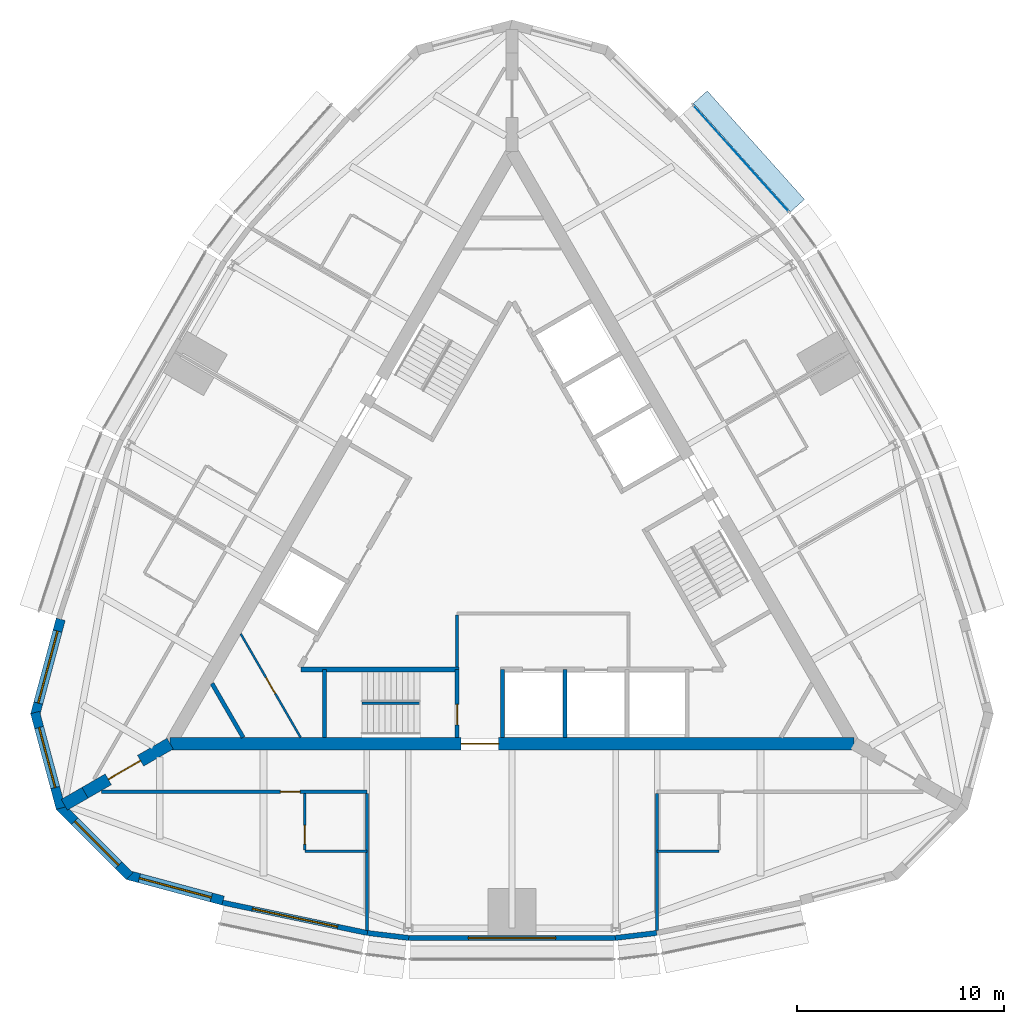
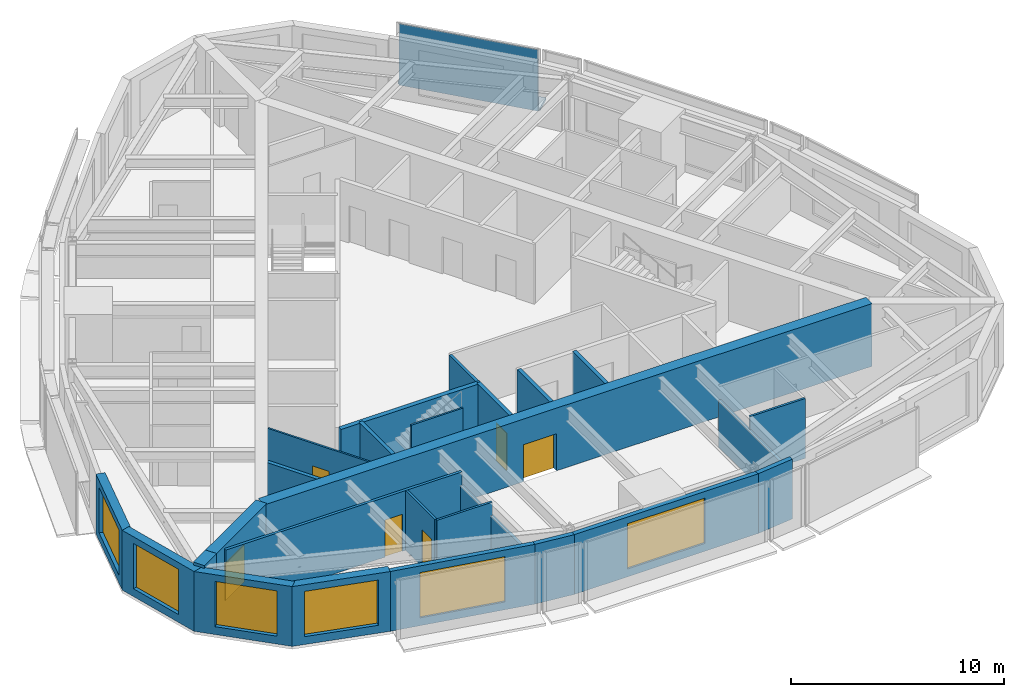
# One storey, part 7 of 12: 26 walls, 6 doors, 6 windows, 2 plates, 12 openings, 1 element without a shape of its own.
"""IFC4 building model written with IfcOpenShell, lengths in metres."""

from ifc_helpers import new_model, si_unit, direction, frame, frame_2d, origin, origin_2d, place, context, subcontext, project, spatial, polyline, rectangle, outline, extrude, material, layer, layer_set, type_object, element, fill, aggregate, save


model = new_model("IFC4")

# Units and contexts
model_context = context("Model", 3, precision=1e-05, world=origin(), true_north=direction((0.0, 1.0)))
body_context = subcontext(model_context, "Body", "Model", "MODEL_VIEW")
ifc_project = project(units=[si_unit("LENGTHUNIT", "METRE"), si_unit("AREAUNIT", "SQUARE_METRE"), si_unit("VOLUMEUNIT", "CUBIC_METRE"), si_unit("PLANEANGLEUNIT", "RADIAN"), si_unit("MASSUNIT", "GRAM", prefix="KILO")], contexts=[model_context])

# Site, building, storey
site_placement = place(None, origin())
site = spatial("IfcSite", under=ifc_project, at=site_placement, CompositionType="ELEMENT")
building_placement = place(site_placement, origin())
building = spatial("IfcBuilding", under=site, at=building_placement, Name="Trikona Tower", CompositionType="ELEMENT")
storey_placement = place(building_placement, frame((0.0, 0.0, 250.10009765625)))
storey = spatial("IfcBuildingStorey", under=building, at=storey_placement, Name="L66", CompositionType="ELEMENT", Elevation=250.10009765625)

# Curtain wall, plate
ifc_material_1 = material(Name="Aluminium curtain wall system", Category="aluminium")
curtain_wall_type = type_object("IfcCurtainWallType", Name="Curtain wall DS3", PredefinedType="NOTDEFINED", material=ifc_material_1)
curtain_wall_placement = place(storey_placement, origin())
curtain_wall = element("IfcCurtainWall", 1, at=curtain_wall_placement, inside=storey, type_object=curtain_wall_type, Name="Curtain wall DS3 L66", PredefinedType="NOTDEFINED")
ifc_material_2 = material(Name="Laminated clear glass", Category="glass")
ifc_layer_1 = layer(ifc_material_2, 0.028076171875)
ifc_layer_set_1 = layer_set([ifc_layer_1], Name="Glass panel DS3")
plate_type_1 = type_object("IfcPlateType", Name="Glass panel DS3", PredefinedType="CURTAIN_PANEL", material=ifc_layer_set_1)
plate_1_placement = place(storey_placement, frame((11.056884765625, 18.7216796875, 0.0), z_axis=(0.0, 0.0, 1.0), x_axis=(-0.667319643748, 0.744771436797, 0.0)))
plate_1 = element("IfcPlate", 2, at=plate_1_placement, type_object=plate_type_1, Name="CW-DS3 panel 1.1", PredefinedType="CURTAIN_PANEL", context=body_context, shape_type="SweptSolid", body=[
    extrude(rectangle(XDim=6.892822265625, YDim=0.028076171875, at=origin_2d()), origin(), (0.0, 0.0, 1.0), 3.530029296875),
])
aggregate(curtain_wall, [plate_1])

# Plate
ifc_material_3 = material(Name="Aluminium plate fin, pale anodised, on stainless steel outriggers", Category="steel")
ifc_layer_2 = layer(ifc_material_3, 0.14990234375)
ifc_layer_set_2 = layer_set([ifc_layer_2], Name="Outer skin fin 900")
plate_type_2 = type_object("IfcPlateType", Name="Outer skin fin 900", PredefinedType="USERDEFINED", material=ifc_layer_set_2)
plate_2_placement = place(storey_placement, frame((11.436767578125, 19.06201171875, 0.0), z_axis=(0.0, 0.0, 1.0), x_axis=(-0.667311465398, 0.744778764566, 0.0)))
element("IfcPlate", 3, at=plate_2_placement, inside=storey, type_object=plate_type_2, Name="Outer skin fin L66-13", ObjectType="FIN", PredefinedType="USERDEFINED", context=body_context, shape_type="SweptSolid", body=[
    extrude(rectangle(XDim=7.03271484375, YDim=0.89990234375, at=origin_2d()), origin(), (0.0, 0.0, 1.0), 0.14990234375),
])

# Wall
ifc_material_4 = material(Name="Metal stud and cement board", Category="gypsum")
ifc_layer_3 = layer(ifc_material_4, 0.1201171875)
ifc_layer_set_3 = layer_set([ifc_layer_3], Name="Bathroom wall 120")
wall_type_1 = type_object("IfcWallType", Name="Bathroom wall 120", PredefinedType="PLUMBINGWALL", material=ifc_layer_set_3)
wall_1_placement = place(storey_placement, frame((-10.0, -14.726318359375, 0.0), z_axis=(0.0, 0.0, 1.0), x_axis=(1.0, 0.0, 0.0)))
element("IfcWall", 4, at=wall_1_placement, inside=storey, type_object=wall_type_1, Name="Bathroom wall 6601", PredefinedType="PLUMBINGWALL", context=body_context, shape_type="SweptSolid", body=[
    extrude(rectangle(XDim=3.0, YDim=0.1201171875, at=frame_2d((1.5, 0.0))), origin(), (0.0, 0.0, 1.0), 3.434814453125),
])

# Wall, opening, door
wall_2_placement = place(storey_placement, frame((-10.0, -11.92626953125, 0.0), z_axis=(0.0, 0.0, 1.0), x_axis=(0.0, -1.0, 0.0)))
wall_2 = element("IfcWall", 5, at=wall_2_placement, inside=storey, type_object=wall_type_1, Name="Bathroom wall 6601", PredefinedType="PLUMBINGWALL", context=body_context, shape_type="SweptSolid", body=[
    extrude(rectangle(XDim=2.739990234375, YDim=0.1201171875, at=frame_2d((1.3701171875, 0.0))), origin(), (0.0, 0.0, 1.0), 3.434814453125),
])
opening_1_placement = place(wall_2_placement, frame((1.550048828125, 0.0, 0.0)))
opening_1 = element("IfcOpeningElement", 6, at=opening_1_placement, cuts=wall_2, Name="Opening D2", PredefinedType="OPENING", context=body_context, shape_type="SweptSolid", body=[
    extrude(rectangle(XDim=0.89990234375, YDim=2.1298828125, at=frame_2d((0.449951171875, 1.06494140625))), frame((0.0, 0.070068359375, 0.0), z_axis=(0.0, -1.0, 0.0), x_axis=(1.0, 0.0, 0.0)), (0.0, 0.0, 1.0), 0.14013671875),
])
ifc_material_5 = material(Name="Steel door frame with solid-core timber leaf", Category="steel")
door_type_1 = type_object("IfcDoorType", Name="Bathroom door 900x2130", OperationType="SLIDING_TO_LEFT", PredefinedType="DOOR", material=ifc_material_5)
door_1_placement = place(opening_1_placement, origin())
door_1 = element("IfcDoor", 7, at=door_1_placement, inside=storey, type_object=door_type_1, Name="Bathroom door 6601", OperationType="SLIDING_TO_LEFT", OverallHeight=2.1298828125, OverallWidth=0.89990234375, PredefinedType="DOOR", context=body_context, shape_type="SweptSolid", body=[
    extrude(rectangle(XDim=0.89990234375, YDim=2.1298828125, at=frame_2d((0.449951171875, 1.06494140625))), frame((0.0, 0.02490234375, 0.0), z_axis=(0.0, -1.0, 0.0), x_axis=(1.0, 0.0, 0.0)), (0.0, 0.0, 1.0), 0.050048828125),
])
fill(opening_1, door_1)

# Wall
wall_3_placement = place(storey_placement, frame((7.0, -14.726318359375, 0.0), z_axis=(0.0, 0.0, 1.0), x_axis=(1.0, 0.0, 0.0)))
element("IfcWall", 8, at=wall_3_placement, inside=storey, type_object=wall_type_1, Name="Bathroom wall 6602", PredefinedType="PLUMBINGWALL", context=body_context, shape_type="SweptSolid", body=[
    extrude(rectangle(XDim=3.0, YDim=0.1201171875, at=frame_2d((1.5, 0.0))), origin(), (0.0, 0.0, 1.0), 3.434814453125),
])

# Wall, opening, window
ifc_material_6 = material(Name="Brick-faced precast concrete", Category="masonry")
ifc_layer_4 = layer(ifc_material_6, 0.449951171875)
ifc_layer_set_4 = layer_set([ifc_layer_4], Name="Brick-faced corner wall 450")
wall_type_2 = type_object("IfcWallType", Name="Brick-faced corner wall 450", PredefinedType="SOLIDWALL", material=ifc_layer_set_4)
wall_4_placement = place(storey_placement, frame((-21.78271484375, -3.522216796875, 0.0), z_axis=(0.0, 0.0, 1.0), x_axis=(-0.25880328844, -0.965930048136, 0.0)))
wall_4 = element("IfcWall", 9, at=wall_4_placement, inside=storey, type_object=wall_type_2, Name="External wall L66-23", PredefinedType="SOLIDWALL", context=body_context, shape_type="SweptSolid", body=[
    extrude(rectangle(XDim=4.78173828125, YDim=0.449951171875, at=frame_2d((2.390869140625, 0.0))), origin(), (0.0, 0.0, 1.0), 3.434814453125),
])
opening_2_placement = place(wall_4_placement, frame((0.5908203125, 0.0, 0.449951171875)))
opening_2 = element("IfcOpeningElement", 10, at=opening_2_placement, cuts=wall_4, Name="Opening W3626", PredefinedType="OPENING", context=body_context, shape_type="SweptSolid", body=[
    extrude(rectangle(XDim=3.60009765625, YDim=2.60009765625, at=frame_2d((1.800048828125, 1.300048828125))), frame((0.0, 0.23486328125, 0.0), z_axis=(0.0, -1.0, 0.0), x_axis=(1.0, 0.0, 0.0)), (0.0, 0.0, 1.0), 0.469970703125),
])
ifc_material_7 = material(Name="Aluminium-framed double glazing", Category="aluminium")
window_type_1 = type_object("IfcWindowType", Name="Window 3600x2600", PartitioningType="SINGLE_PANEL", PredefinedType="WINDOW", material=ifc_material_7)
window_1_placement = place(opening_2_placement, origin())
window_1 = element("IfcWindow", 11, at=window_1_placement, inside=storey, type_object=window_type_1, Name="Window 6607", OverallHeight=2.60009765625, OverallWidth=3.60009765625, PartitioningType="SINGLE_PANEL", PredefinedType="WINDOW", context=body_context, shape_type="SweptSolid", body=[
    extrude(rectangle(XDim=3.60009765625, YDim=2.60009765625, at=frame_2d((1.800048828125, 1.300048828125))), frame((0.0, 0.030029296875, 0.0), z_axis=(0.0, -1.0, 0.0), x_axis=(1.0, 0.0, 0.0)), (0.0, 0.0, 1.0), 0.06005859375),
])
fill(opening_2, window_1)

wall_5_placement = place(storey_placement, frame((-23.020263671875, -8.024658203125, 0.0), z_axis=(0.0, 0.0, 1.0), x_axis=(0.25880328844, -0.965930048136, 0.0)))
wall_5 = element("IfcWall", 12, at=wall_5_placement, inside=storey, type_object=wall_type_2, Name="External wall L66-24", PredefinedType="SOLIDWALL", context=body_context, shape_type="SweptSolid", body=[
    extrude(outline(polyline([(4.78173828125, 0.22509765625), (4.72216796875, 0.22509765625), (4.37548828125, 0.132080078125), (4.3505859375, 0.22509765625), (0.0, 0.22509765625), (0.0, -0.22509765625), (4.78173828125, -0.22509765625), (4.78173828125, 0.22509765625)])), origin(), (0.0, 0.0, 1.0), 3.434814453125),
])
opening_3_placement = place(wall_5_placement, frame((0.750244140625, 0.0, 0.449951171875)))
opening_3 = element("IfcOpeningElement", 13, at=opening_3_placement, cuts=wall_5, Name="Opening W3026", PredefinedType="OPENING", context=body_context, shape_type="SweptSolid", body=[
    extrude(rectangle(XDim=3.0, YDim=2.60009765625, at=frame_2d((1.5, 1.300048828125))), frame((0.0, 0.23486328125, 0.0), z_axis=(0.0, -1.0, 0.0), x_axis=(1.0, 0.0, 0.0)), (0.0, 0.0, 1.0), 0.469970703125),
])
ifc_material_8 = material(Name="Aluminium-framed double glazing", Category="aluminium")
window_type_2 = type_object("IfcWindowType", Name="Window 3000x2600", PartitioningType="SINGLE_PANEL", PredefinedType="WINDOW", material=ifc_material_8)
window_2_placement = place(opening_3_placement, origin())
window_2 = element("IfcWindow", 14, at=window_2_placement, inside=storey, type_object=window_type_2, Name="Window 6607", OverallHeight=2.60009765625, OverallWidth=3.0, PartitioningType="SINGLE_PANEL", PredefinedType="WINDOW", context=body_context, shape_type="SweptSolid", body=[
    extrude(rectangle(XDim=3.0, YDim=2.60009765625, at=frame_2d((1.5, 1.300048828125))), frame((0.0, 0.030029296875, 0.0), z_axis=(0.0, -1.0, 0.0), x_axis=(1.0, 0.0, 0.0)), (0.0, 0.0, 1.0), 0.06005859375),
])
fill(opening_3, window_2)

wall_6_placement = place(storey_placement, frame((-21.8408203125, -12.54248046875, 0.0), z_axis=(0.0, 0.0, 1.0), x_axis=(0.707081252484, -0.707132308968, 0.0)))
wall_6 = element("IfcWall", 15, at=wall_6_placement, inside=storey, type_object=wall_type_2, Name="External wall L66-25", PredefinedType="SOLIDWALL", context=body_context, shape_type="SweptSolid", body=[
    extrude(outline(polyline([(4.78173828125, 0.22509765625), (0.43115234375, 0.22509765625), (0.40625, 0.1318359375), (0.058837890625, 0.22509765625), (0.0, 0.22509765625), (0.0, -0.22509765625), (4.78173828125, -0.22509765625), (4.78173828125, 0.22509765625)])), origin(), (0.0, 0.0, 1.0), 3.434814453125),
])
opening_4_placement = place(wall_6_placement, frame((1.031494140625, 0.0, 0.449951171875)))
opening_4 = element("IfcOpeningElement", 16, at=opening_4_placement, cuts=wall_6, Name="Opening W3026", PredefinedType="OPENING", context=body_context, shape_type="SweptSolid", body=[
    extrude(rectangle(XDim=3.0, YDim=2.60009765625, at=frame_2d((1.5, 1.300048828125))), frame((0.0, 0.23486328125, 0.0), z_axis=(0.0, -1.0, 0.0), x_axis=(1.0, 0.0, 0.0)), (0.0, 0.0, 1.0), 0.469970703125),
])
window_3_placement = place(opening_4_placement, origin())
window_3 = element("IfcWindow", 17, at=window_3_placement, inside=storey, type_object=window_type_2, Name="Window 6601", OverallHeight=2.60009765625, OverallWidth=3.0, PartitioningType="SINGLE_PANEL", PredefinedType="WINDOW", context=body_context, shape_type="SweptSolid", body=[
    extrude(rectangle(XDim=3.0, YDim=2.60009765625, at=frame_2d((1.5, 1.300048828125))), frame((0.0, 0.030029296875, 0.0), z_axis=(0.0, -1.0, 0.0), x_axis=(1.0, 0.0, 0.0)), (0.0, 0.0, 1.0), 0.06005859375),
])
fill(opening_4, window_3)

wall_7_placement = place(storey_placement, frame((-18.560546875, -15.865478515625, 0.0), z_axis=(0.0, 0.0, 1.0), x_axis=(0.965913862671, -0.258863689806, 0.0)))
wall_7 = element("IfcWall", 18, at=wall_7_placement, inside=storey, type_object=wall_type_2, Name="External wall L66-26", PredefinedType="SOLIDWALL", context=body_context, shape_type="SweptSolid", body=[
    extrude(rectangle(XDim=4.78173828125, YDim=0.449951171875, at=frame_2d((2.390869140625, 0.0))), origin(), (0.0, 0.0, 1.0), 3.434814453125),
])
opening_5_placement = place(wall_7_placement, frame((0.5908203125, 0.0, 0.449951171875)))
opening_5 = element("IfcOpeningElement", 19, at=opening_5_placement, cuts=wall_7, Name="Opening W3626", PredefinedType="OPENING", context=body_context, shape_type="SweptSolid", body=[
    extrude(rectangle(XDim=3.60009765625, YDim=2.60009765625, at=frame_2d((1.800048828125, 1.300048828125))), frame((0.0, 0.23486328125, 0.0), z_axis=(0.0, -1.0, 0.0), x_axis=(1.0, 0.0, 0.0)), (0.0, 0.0, 1.0), 0.469970703125),
])
window_4_placement = place(opening_5_placement, origin())
window_4 = element("IfcWindow", 20, at=window_4_placement, inside=storey, type_object=window_type_1, Name="Window 6601", OverallHeight=2.60009765625, OverallWidth=3.60009765625, PartitioningType="SINGLE_PANEL", PredefinedType="WINDOW", context=body_context, shape_type="SweptSolid", body=[
    extrude(rectangle(XDim=3.60009765625, YDim=2.60009765625, at=frame_2d((1.800048828125, 1.300048828125))), frame((0.0, 0.030029296875, 0.0), z_axis=(0.0, -1.0, 0.0), x_axis=(1.0, 0.0, 0.0)), (0.0, 0.0, 1.0), 0.06005859375),
])
fill(opening_5, window_4)

# Wall, opening, door
ifc_material_9 = material(Name="Concrete f'c 10000 psi", Category="concrete")
ifc_layer_5 = layer(ifc_material_9, 0.60009765625)
ifc_layer_set_5 = layer_set([ifc_layer_5], Name="Buttress wall 600")
wall_type_3 = type_object("IfcWallType", Name="Buttress wall 600", PredefinedType="SHEAR", material=ifc_layer_set_5)
wall_8_placement = place(storey_placement, frame((-16.5, -9.5263671875, 0.0), z_axis=(0.0, 0.0, 1.0), x_axis=(-0.866031398331, -0.499989616998, 0.0)))
wall_8 = element("IfcWall", 21, at=wall_8_placement, inside=storey, type_object=wall_type_3, Name="Buttress wall 3", PredefinedType="SHEAR", context=body_context, shape_type="SweptSolid", body=[
    extrude(rectangle(XDim=4.74609375, YDim=0.60009765625, at=frame_2d((2.373046875, 0.0))), origin(), (0.0, 0.0, 1.0), 3.599853515625),
])
opening_6_placement = place(wall_8_placement, frame((1.64990234375, 0.0, 0.0)))
opening_6 = element("IfcOpeningElement", 22, at=opening_6_placement, cuts=wall_8, Name="Opening D10", PredefinedType="OPENING", context=body_context, shape_type="SweptSolid", body=[
    extrude(rectangle(XDim=1.800048828125, YDim=2.1298828125, at=frame_2d((0.89990234375, 1.06494140625))), frame((0.0, 0.31005859375, 0.0), z_axis=(0.0, -1.0, 0.0), x_axis=(1.0, 0.0, 0.0)), (0.0, 0.0, 1.0), 0.6201171875),
])
ifc_material_10 = material(Name="Hollow metal door and frame", Category="steel")
door_type_2 = type_object("IfcDoorType", Name="Cross-corridor door pair 1800x2130", OperationType="DOUBLE_DOOR_DOUBLE_SWING", PredefinedType="DOOR", material=ifc_material_10)
door_2_placement = place(opening_6_placement, origin())
door_2 = element("IfcDoor", 23, at=door_2_placement, inside=storey, type_object=door_type_2, Name="Cross-corridor door 3", OperationType="DOUBLE_DOOR_DOUBLE_SWING", OverallHeight=2.1298828125, OverallWidth=1.800048828125, PredefinedType="DOOR", context=body_context, shape_type="SweptSolid", body=[
    extrude(rectangle(XDim=1.800048828125, YDim=2.1298828125, at=frame_2d((0.89990234375, 1.06494140625))), frame((0.0, 0.02490234375, 0.0), z_axis=(0.0, -1.0, 0.0), x_axis=(1.0, 0.0, 0.0)), (0.0, 0.0, 1.0), 0.050048828125),
])
fill(opening_6, door_2)

# Wall
wall_9_placement = place(storey_placement, frame((-20.6103515625, -11.8994140625, 0.0), z_axis=(0.0, 0.0, 1.0), x_axis=(-0.866009537788, -0.500027479704, 0.0)))
element("IfcWall", 24, at=wall_9_placement, inside=storey, type_object=wall_type_3, Name="Buttress wall 3 part 2", PredefinedType="SHEAR", context=body_context, shape_type="SweptSolid", body=[
    extrude(rectangle(XDim=1.15478515625, YDim=0.60009765625, at=frame_2d((0.577392578125, 0.0))), origin(), (0.0, 0.0, 1.0), 3.599853515625),
])

# Wall, opening, door
ifc_material_11 = material(Name="Concrete f'c 10000 psi", Category="concrete")
ifc_layer_6 = layer(ifc_material_11, 0.60009765625)
ifc_layer_set_6 = layer_set([ifc_layer_6], Name="Core wall 600")
wall_type_4 = type_object("IfcWallType", Name="Core wall 600", PredefinedType="SHEAR", material=ifc_layer_set_6)
wall_10_placement = place(storey_placement, frame((-16.5, -9.5263671875, 0.0), z_axis=(0.0, 0.0, 1.0), x_axis=(1.0, 0.0, 0.0)))
wall_10 = element("IfcWall", 25, at=wall_10_placement, inside=storey, type_object=wall_type_4, Name="Core wall A", PredefinedType="SHEAR", context=body_context, shape_type="SweptSolid", body=[
    extrude(rectangle(XDim=33.0, YDim=0.60009765625, at=frame_2d((16.5, 0.0))), origin(), (0.0, 0.0, 1.0), 3.599853515625),
])
opening_7_placement = place(wall_10_placement, frame((14.050048828125, 0.0, 0.0)))
opening_7 = element("IfcOpeningElement", 26, at=opening_7_placement, cuts=wall_10, Name="Opening D6", PredefinedType="OPENING", context=body_context, shape_type="SweptSolid", body=[
    extrude(rectangle(XDim=1.800048828125, YDim=2.1298828125, at=frame_2d((0.89990234375, 1.06494140625))), frame((0.0, 0.31005859375, 0.0), z_axis=(0.0, -1.0, 0.0), x_axis=(1.0, 0.0, 0.0)), (0.0, 0.0, 1.0), 0.6201171875),
])
ifc_material_12 = material(Name="Hollow metal door and frame", Category="steel")
door_type_3 = type_object("IfcDoorType", Name="Lobby door pair 1800x2130", OperationType="DOUBLE_DOOR_SINGLE_SWING", PredefinedType="DOOR", material=ifc_material_12)
door_3_placement = place(opening_7_placement, origin())
door_3 = element("IfcDoor", 27, at=door_3_placement, inside=storey, type_object=door_type_3, Name="Fire service lift lobby door", OperationType="DOUBLE_DOOR_SINGLE_SWING", OverallHeight=2.1298828125, OverallWidth=1.800048828125, PredefinedType="DOOR", context=body_context, shape_type="SweptSolid", body=[
    extrude(rectangle(XDim=1.800048828125, YDim=2.1298828125, at=frame_2d((0.89990234375, 1.06494140625))), frame((0.0, 0.02490234375, 0.0), z_axis=(0.0, -1.0, 0.0), x_axis=(1.0, 0.0, 0.0)), (0.0, 0.0, 1.0), 0.050048828125),
])
fill(opening_7, door_3)

ifc_material_13 = material(Name="Metal stud and gypsum board, 1-hour", Category="gypsum")
ifc_layer_7 = layer(ifc_material_13, 0.14990234375)
ifc_layer_set_7 = layer_set([ifc_layer_7], Name="Corridor wall 150")
wall_type_5 = type_object("IfcWallType", Name="Corridor wall 150", PredefinedType="PARTITIONING", material=ifc_layer_set_7)
wall_11_placement = place(storey_placement, frame((-19.826904296875, -11.851318359375, 0.0), z_axis=(0.0, 0.0, 1.0), x_axis=(1.0, 0.0, 0.0)))
wall_11 = element("IfcWall", 28, at=wall_11_placement, inside=storey, type_object=wall_type_5, Name="Corridor wall L66-1A", PredefinedType="PARTITIONING", context=body_context, shape_type="SweptSolid", body=[
    extrude(rectangle(XDim=12.826904296875, YDim=0.14990234375, at=frame_2d((6.41357421875, 0.0))), origin(), (0.0, 0.0, 1.0), 3.434814453125),
])
opening_8_placement = place(wall_11_placement, frame((8.652099609375, 0.0, 0.0)))
opening_8 = element("IfcOpeningElement", 29, at=opening_8_placement, cuts=wall_11, Name="Opening D1", PredefinedType="OPENING", context=body_context, shape_type="SweptSolid", body=[
    extrude(rectangle(XDim=0.949951171875, YDim=2.1298828125, at=frame_2d((0.47509765625, 1.06494140625))), frame((0.0, 0.0849609375, 0.0), z_axis=(0.0, -1.0, 0.0), x_axis=(1.0, 0.0, 0.0)), (0.0, 0.0, 1.0), 0.169921875),
])
ifc_material_14 = material(Name="Steel door frame with solid-core timber leaf", Category="steel")
door_type_4 = type_object("IfcDoorType", Name="Guest room door 950x2130", OperationType="SINGLE_SWING_LEFT", PredefinedType="DOOR", material=ifc_material_14)
door_4_placement = place(opening_8_placement, origin())
door_4 = element("IfcDoor", 30, at=door_4_placement, inside=storey, type_object=door_type_4, Name="Room door 6601", OperationType="SINGLE_SWING_LEFT", OverallHeight=2.1298828125, OverallWidth=0.949951171875, PredefinedType="DOOR", context=body_context, shape_type="SweptSolid", body=[
    extrude(rectangle(XDim=0.949951171875, YDim=2.1298828125, at=frame_2d((0.47509765625, 1.06494140625))), frame((0.0, 0.02490234375, 0.0), z_axis=(0.0, -1.0, 0.0), x_axis=(1.0, 0.0, 0.0)), (0.0, 0.0, 1.0), 0.050048828125),
])
fill(opening_8, door_4)

# Wall
ifc_material_15 = material(Name="Concrete f'c 8000 psi", Category="concrete")
ifc_layer_8 = layer(ifc_material_15, 0.25)
ifc_layer_set_8 = layer_set([ifc_layer_8], Name="Hub wall 250")
wall_type_6 = type_object("IfcWallType", Name="Hub wall 250", PredefinedType="SOLIDWALL", material=ifc_layer_set_8)
wall_12_placement = place(storey_placement, frame((-10.182861328125, -5.951416015625, 0.0), z_axis=(0.0, 0.0, 1.0), x_axis=(1.0, 0.0, 0.0)))
element("IfcWall", 31, at=wall_12_placement, inside=storey, type_object=wall_type_6, Name="Lift lobby wall A1", PredefinedType="SOLIDWALL", context=body_context, shape_type="SweptSolid", body=[
    extrude(rectangle(XDim=7.6328125, YDim=0.25, at=frame_2d((3.81640625, 0.0))), origin(), (0.0, 0.0, 1.0), 3.434814453125),
])

# Wall, opening, window
ifc_material_16 = material(Name="Insulated precast concrete spandrel panel", Category="concrete")
ifc_layer_9 = layer(ifc_material_16, 0.25)
ifc_layer_set_9 = layer_set([ifc_layer_9], Name="Inner skin wall 250")
wall_type_7 = type_object("IfcWallType", Name="Inner skin wall 250", PredefinedType="STANDARD", material=ifc_layer_set_9)
wall_13_placement = place(storey_placement, frame((-13.974365234375, -17.1982421875, 0.0), z_axis=(0.0, 0.0, 1.0), x_axis=(0.978654320409, -0.205513311355, 0.0)))
wall_13 = element("IfcWall", 32, at=wall_13_placement, inside=storey, type_object=wall_type_7, Name="External wall L66-00", PredefinedType="STANDARD", context=body_context, shape_type="SweptSolid", body=[
    extrude(rectangle(XDim=7.152587890625, YDim=0.25, at=frame_2d((3.576171875, 0.0))), origin(), (0.0, 0.0, 1.0), 3.434814453125),
])
opening_9_placement = place(wall_13_placement, frame((1.476318359375, 0.0, 0.449951171875)))
opening_9 = element("IfcOpeningElement", 33, at=opening_9_placement, cuts=wall_13, Name="Opening W4226", PredefinedType="OPENING", context=body_context, shape_type="SweptSolid", body=[
    extrude(rectangle(XDim=4.199951171875, YDim=2.60009765625, at=frame_2d((2.10009765625, 1.300048828125))), frame((0.0, 0.135009765625, 0.0), z_axis=(0.0, -1.0, 0.0), x_axis=(1.0, 0.0, 0.0)), (0.0, 0.0, 1.0), 0.27001953125),
])
ifc_material_17 = material(Name="Aluminium-framed double glazing", Category="aluminium")
window_type_3 = type_object("IfcWindowType", Name="Window 4200x2600", PartitioningType="SINGLE_PANEL", PredefinedType="WINDOW", material=ifc_material_17)
window_5_placement = place(opening_9_placement, origin())
window_5 = element("IfcWindow", 34, at=window_5_placement, inside=storey, type_object=window_type_3, Name="Window 6601", OverallHeight=2.60009765625, OverallWidth=4.199951171875, PartitioningType="SINGLE_PANEL", PredefinedType="WINDOW", context=body_context, shape_type="SweptSolid", body=[
    extrude(rectangle(XDim=4.199951171875, YDim=2.60009765625, at=frame_2d((2.10009765625, 1.300048828125))), frame((0.0, 0.030029296875, 0.0), z_axis=(0.0, -1.0, 0.0), x_axis=(1.0, 0.0, 0.0)), (0.0, 0.0, 1.0), 0.06005859375),
])
fill(opening_9, window_5)

# Wall
wall_14_placement = place(storey_placement, frame((-6.985107421875, -18.66650390625, 0.0), z_axis=(0.0, 0.0, 1.0), x_axis=(0.992877411981, -0.119140441403, 0.0)))
element("IfcWall", 35, at=wall_14_placement, inside=storey, type_object=wall_type_7, Name="External wall L66-01", PredefinedType="STANDARD", context=body_context, shape_type="SweptSolid", body=[
    extrude(rectangle(XDim=2.014404296875, YDim=0.25, at=frame_2d((1.00732421875, 0.0))), origin(), (0.0, 0.0, 1.0), 3.434814453125),
])

# Wall, opening, window
wall_15_placement = place(storey_placement, frame((-5.0, -18.905517578125, 0.0), z_axis=(0.0, 0.0, 1.0), x_axis=(1.0, 0.0, 0.0)))
wall_15 = element("IfcWall", 36, at=wall_15_placement, inside=storey, type_object=wall_type_7, Name="External wall L66-02", PredefinedType="STANDARD", context=body_context, shape_type="SweptSolid", body=[
    extrude(rectangle(XDim=10.0, YDim=0.25, at=frame_2d((5.0, 0.0))), origin(), (0.0, 0.0, 1.0), 3.434814453125),
])
opening_10_placement = place(wall_15_placement, frame((2.89990234375, 0.0, 0.449951171875)))
opening_10 = element("IfcOpeningElement", 37, at=opening_10_placement, cuts=wall_15, Name="Opening W4226", PredefinedType="OPENING", context=body_context, shape_type="SweptSolid", body=[
    extrude(rectangle(XDim=4.199951171875, YDim=2.60009765625, at=frame_2d((2.10009765625, 1.300048828125))), frame((0.0, 0.135009765625, 0.0), z_axis=(0.0, -1.0, 0.0), x_axis=(1.0, 0.0, 0.0)), (0.0, 0.0, 1.0), 0.27001953125),
])
window_6_placement = place(opening_10_placement, origin())
window_6 = element("IfcWindow", 38, at=window_6_placement, inside=storey, type_object=window_type_3, Name="Window L66-LNG", OverallHeight=2.60009765625, OverallWidth=4.199951171875, PartitioningType="SINGLE_PANEL", PredefinedType="WINDOW", context=body_context, shape_type="SweptSolid", body=[
    extrude(rectangle(XDim=4.199951171875, YDim=2.60009765625, at=frame_2d((2.10009765625, 1.300048828125))), frame((0.0, 0.030029296875, 0.0), z_axis=(0.0, -1.0, 0.0), x_axis=(1.0, 0.0, 0.0)), (0.0, 0.0, 1.0), 0.06005859375),
])
fill(opening_10, window_6)

# Walls
wall_16_placement = place(storey_placement, frame((4.985107421875, -18.906494140625, 0.0), z_axis=(0.0, 0.0, 1.0), x_axis=(0.992877411981, 0.119140441403, 0.0)))
element("IfcWall", 39, at=wall_16_placement, inside=storey, type_object=wall_type_7, Name="External wall L66-03", PredefinedType="STANDARD", context=body_context, shape_type="SweptSolid", body=[
    extrude(rectangle(XDim=2.014404296875, YDim=0.25, at=frame_2d((1.00732421875, 0.0))), origin(), (0.0, 0.0, 1.0), 3.434814453125),
])
ifc_material_18 = material(Name="Metal stud and gypsum board, 2-hour shaft wall", Category="gypsum")
ifc_layer_10 = layer(ifc_material_18, 0.14990234375)
ifc_layer_set_10 = layer_set([ifc_layer_10], Name="Lobby wall 150")
wall_type_8 = type_object("IfcWallType", Name="Lobby wall 150", PredefinedType="PARTITIONING", material=ifc_layer_set_10)
wall_17_placement = place(storey_placement, frame((-2.64990234375, -5.826416015625, 0.0), z_axis=(0.0, 0.0, 1.0), x_axis=(0.0, 1.0, 0.0)))
element("IfcWall", 40, at=wall_17_placement, inside=storey, type_object=wall_type_8, Name="Fire service lift lobby wall 2", PredefinedType="PARTITIONING", context=body_context, shape_type="SweptSolid", body=[
    extrude(rectangle(XDim=2.5, YDim=0.14990234375, at=frame_2d((1.25, 0.0))), origin(), (0.0, 0.0, 1.0), 3.434814453125),
])
ifc_material_19 = material(Name="Metal stud and gypsum board, 1-hour acoustic", Category="gypsum")
ifc_layer_11 = layer(ifc_material_19, 0.14990234375)
ifc_layer_set_11 = layer_set([ifc_layer_11], Name="Party wall 150")
wall_type_9 = type_object("IfcWallType", Name="Party wall 150", PredefinedType="PARTITIONING", material=ifc_layer_set_11)
for number, where, z_axis, x_axis, name in (
    (41, (-7.0, -11.92626953125, 0.0), (0.0, 0.0, 1.0), (0.0, -1.0, 0.0), "Partition L66 F1 u-7"),
    (42, (7.0, -11.92626953125, 0.0), (0.0, 0.0, 1.0), (0.0, -1.0, 0.0), "Partition L66 F1 u7"),
):
    element("IfcWall", number, at=place(storey_placement, frame(where, z_axis=z_axis, x_axis=x_axis)), inside=storey, type_object=wall_type_9, Name=name, PredefinedType="PARTITIONING", context=body_context, shape_type="SweptSolid", body=[
        extrude(rectangle(XDim=6.608642578125, YDim=0.14990234375, at=frame_2d((3.30419921875, 0.0))), origin(), (0.0, 0.0, 1.0), 2.677978515625),
    ])
ifc_material_20 = material(Name="Concrete f'c 8000 psi", Category="concrete")
ifc_layer_12 = layer(ifc_material_20, 0.199951171875)
ifc_layer_set_12 = layer_set([ifc_layer_12], Name="Shaft wall 200")
wall_type_10 = type_object("IfcWallType", Name="Shaft wall 200", PredefinedType="SOLIDWALL", material=ifc_layer_set_12)
for number, where, z_axis, x_axis, name in (
    (43, (-0.449951171875, -5.951416015625, 0.0), (0.0, 0.0, 1.0), (0.0, -1.0, 0.0), "Shaft wall A3"),
    (44, (2.550048828125, -5.951416015625, 0.0), (0.0, 0.0, 1.0), (0.0, -1.0, 0.0), "Shaft wall A4"),
):
    element("IfcWall", number, at=place(storey_placement, frame(where, z_axis=z_axis, x_axis=x_axis)), inside=storey, type_object=wall_type_10, Name=name, PredefinedType="SOLIDWALL", context=body_context, shape_type="SweptSolid", body=[
        extrude(rectangle(XDim=3.27490234375, YDim=0.199951171875, at=frame_2d((1.637451171875, 0.0))), origin(), (0.0, 0.0, 1.0), 3.434814453125),
    ])
wall_18_placement = place(storey_placement, frame((-12.978271484375, -9.226318359375, 0.0), z_axis=(0.0, 0.0, 1.0), x_axis=(-0.499952404951, 0.866052881055, 0.0)))
element("IfcWall", 45, at=wall_18_placement, inside=storey, type_object=wall_type_10, Name="Riser wall L66-RS3", PredefinedType="SOLIDWALL", context=body_context, shape_type="SweptSolid", body=[
    extrude(rectangle(XDim=3.002197265625, YDim=0.199951171875, at=frame_2d((1.5009765625, 0.0))), origin(), (0.0, 0.0, 1.0), 3.434814453125),
])
ifc_material_21 = material(Name="Concrete f'c 8000 psi", Category="concrete")
ifc_layer_13 = layer(ifc_material_21, 0.199951171875)
ifc_layer_set_13 = layer_set([ifc_layer_13], Name="Shaft wall 200 load-bearing")
wall_type_11 = type_object("IfcWallType", Name="Shaft wall 200 load-bearing", PredefinedType="SOLIDWALL", material=ifc_layer_set_13)
wall_19_placement = place(storey_placement, frame((-9.050048828125, -5.951416015625, 0.0), z_axis=(0.0, 0.0, 1.0), x_axis=(0.0, -1.0, 0.0)))
element("IfcWall", 46, at=wall_19_placement, inside=storey, type_object=wall_type_11, Name="Shaft wall A1", PredefinedType="SOLIDWALL", context=body_context, shape_type="SweptSolid", body=[
    extrude(rectangle(XDim=3.27490234375, YDim=0.199951171875, at=frame_2d((1.637451171875, 0.0))), origin(), (0.0, 0.0, 1.0), 3.434814453125),
])

# Wall, opening, door
wall_20_placement = place(storey_placement, frame((-2.64990234375, -5.951416015625, 0.0), z_axis=(0.0, 0.0, 1.0), x_axis=(0.0, -1.0, 0.0)))
wall_20 = element("IfcWall", 47, at=wall_20_placement, inside=storey, type_object=wall_type_11, Name="Shaft wall A2", PredefinedType="SOLIDWALL", context=body_context, shape_type="SweptSolid", body=[
    extrude(rectangle(XDim=3.27490234375, YDim=0.199951171875, at=frame_2d((1.637451171875, 0.0))), origin(), (0.0, 0.0, 1.0), 3.434814453125),
])
opening_11_placement = place(wall_20_placement, frame((1.675048828125, 0.0, 0.0)))
opening_11 = element("IfcOpeningElement", 48, at=opening_11_placement, cuts=wall_20, Name="Opening D5", PredefinedType="OPENING", context=body_context, shape_type="SweptSolid", body=[
    extrude(rectangle(XDim=1.0, YDim=2.1298828125, at=frame_2d((0.5, 1.06494140625))), frame((0.0, 0.10986328125, 0.0), z_axis=(0.0, -1.0, 0.0), x_axis=(1.0, 0.0, 0.0)), (0.0, 0.0, 1.0), 0.219970703125),
])
ifc_material_22 = material(Name="Hollow metal door and frame", Category="steel")
door_type_5 = type_object("IfcDoorType", Name="Stair door 1000x2130", OperationType="SINGLE_SWING_LEFT", PredefinedType="DOOR", material=ifc_material_22)
door_5_placement = place(opening_11_placement, origin())
door_5 = element("IfcDoor", 49, at=door_5_placement, inside=storey, type_object=door_type_5, Name="Stair A door", OperationType="SINGLE_SWING_RIGHT", OverallHeight=2.1298828125, OverallWidth=1.0, PredefinedType="DOOR", context=body_context, shape_type="SweptSolid", body=[
    extrude(rectangle(XDim=1.0, YDim=2.1298828125, at=frame_2d((0.5, 1.06494140625))), frame((0.0, 0.02490234375, 0.0), z_axis=(0.0, -1.0, 0.0), x_axis=(1.0, 0.0, 0.0)), (0.0, 0.0, 1.0), 0.050048828125),
])
fill(opening_11, door_5)

# Wall
ifc_material_23 = material(Name="Concrete f'c 5000 psi", Category="concrete")
ifc_layer_14 = layer(ifc_material_23, 0.10009765625)
ifc_layer_set_14 = layer_set([ifc_layer_14], Name="Stair spine wall 100")
wall_type_12 = type_object("IfcWallType", Name="Stair spine wall 100", PredefinedType="SOLIDWALL", material=ifc_layer_set_14)
wall_21_placement = place(storey_placement, frame((-7.2470703125, -7.576416015625, 0.0), z_axis=(0.0, 0.0, 1.0), x_axis=(1.0, 0.0, 0.0)))
element("IfcWall", 50, at=wall_21_placement, inside=storey, type_object=wall_type_12, Name="Stair A spine wall L66", PredefinedType="SOLIDWALL", context=body_context, shape_type="SweptSolid", body=[
    extrude(rectangle(XDim=2.794189453125, YDim=0.10009765625, at=frame_2d((1.39697265625, 0.0))), origin(), (0.0, 0.0, 1.0), 3.599853515625),
])

# Wall, opening, door
ifc_material_24 = material(Name="Metal stud and gypsum board, acoustic", Category="gypsum")
ifc_layer_15 = layer(ifc_material_24, 0.10009765625)
ifc_layer_set_15 = layer_set([ifc_layer_15], Name="Suite partition 100")
wall_type_13 = type_object("IfcWallType", Name="Suite partition 100", PredefinedType="PARTITIONING", material=ifc_layer_set_15)
wall_22_placement = place(storey_placement, frame((-10.206787109375, -9.226318359375, 0.0), z_axis=(0.0, 0.0, 1.0), x_axis=(-0.500027479704, 0.866009537788, 0.0)))
wall_22 = element("IfcWall", 51, at=wall_22_placement, inside=storey, type_object=wall_type_13, Name="Store partition L66-RS3", PredefinedType="PARTITIONING", context=body_context, shape_type="SweptSolid", body=[
    extrude(rectangle(XDim=5.773681640625, YDim=0.10009765625, at=frame_2d((2.88671875, 0.0))), origin(), (0.0, 0.0, 1.0), 3.434814453125),
])
opening_12_placement = place(wall_22_placement, frame((2.436767578125, 0.0, 0.0)))
opening_12 = element("IfcOpeningElement", 52, at=opening_12_placement, cuts=wall_22, Name="Opening D15", PredefinedType="OPENING", context=body_context, shape_type="SweptSolid", body=[
    extrude(rectangle(XDim=0.89990234375, YDim=2.1298828125, at=frame_2d((0.449951171875, 1.06494140625))), frame((0.0, 0.06005859375, 0.0), z_axis=(0.0, -1.0, 0.0), x_axis=(1.0, 0.0, 0.0)), (0.0, 0.0, 1.0), 0.1201171875),
])
ifc_material_25 = material(Name="Steel door frame with solid-core timber leaf", Category="steel")
door_type_6 = type_object("IfcDoorType", Name="Store door 900x2130", OperationType="SINGLE_SWING_LEFT", PredefinedType="DOOR", material=ifc_material_25)
door_6_placement = place(opening_12_placement, origin())
door_6 = element("IfcDoor", 53, at=door_6_placement, inside=storey, type_object=door_type_6, Name="Door Storage STO", OperationType="SINGLE_SWING_RIGHT", OverallHeight=2.1298828125, OverallWidth=0.89990234375, PredefinedType="DOOR", context=body_context, shape_type="SweptSolid", body=[
    extrude(rectangle(XDim=0.89990234375, YDim=2.1298828125, at=frame_2d((0.449951171875, 1.06494140625))), frame((0.0, 0.02490234375, 0.0), z_axis=(0.0, -1.0, 0.0), x_axis=(1.0, 0.0, 0.0)), (0.0, 0.0, 1.0), 0.050048828125),
])
fill(opening_12, door_6)

save(model, "model.ifc")
